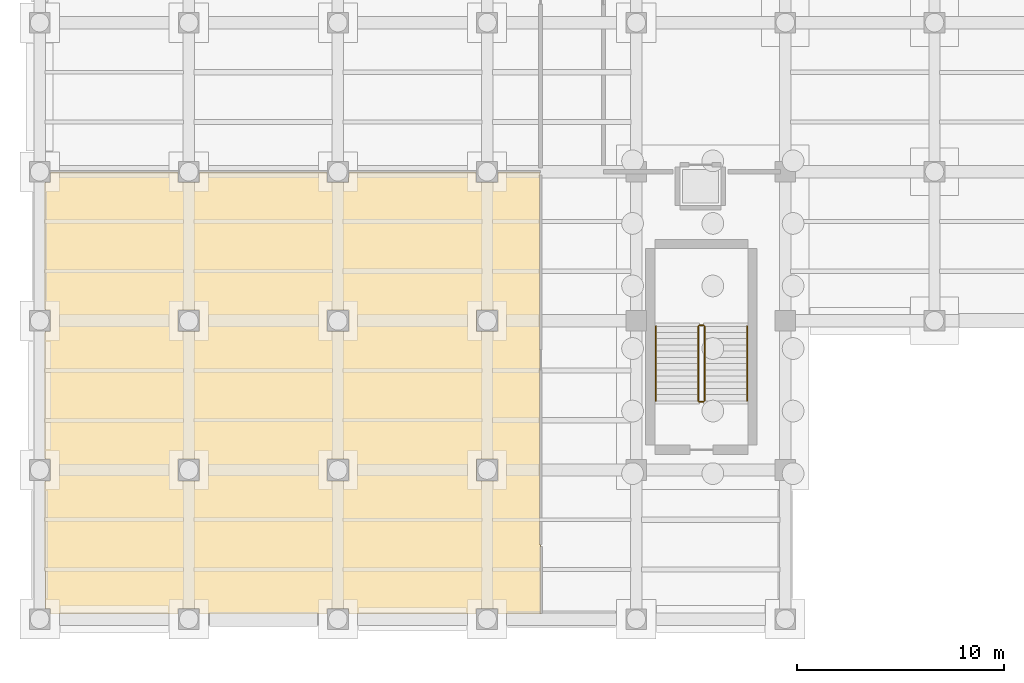
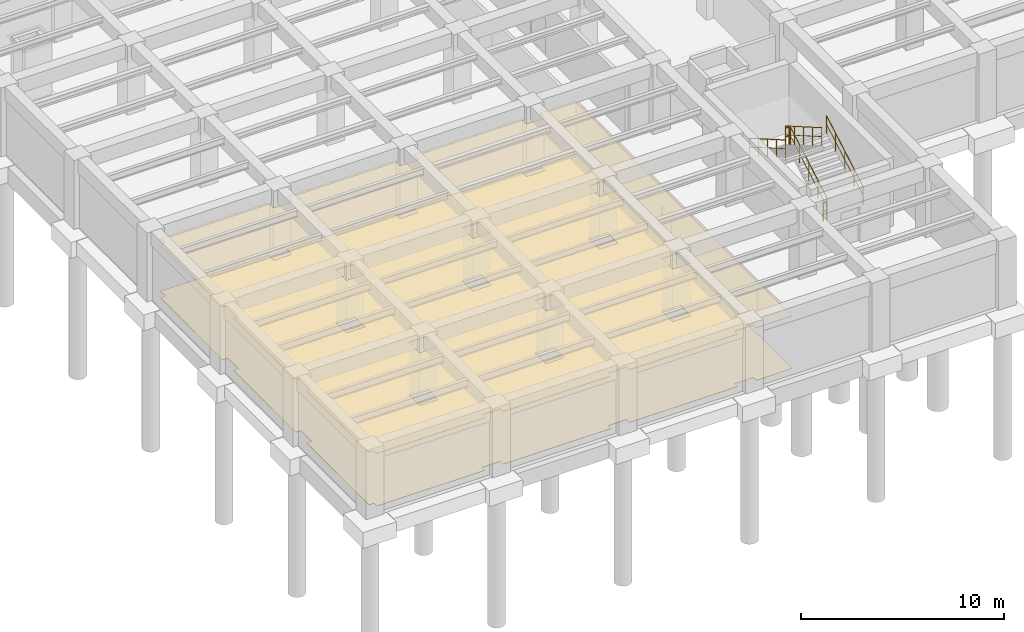
# One storey, part 24 of 34: 6 railings, 2 coverings.
"""IFC4 building model written with IfcOpenShell, lengths in metres."""

from ifc_helpers import new_model, si_unit, direction, frame, origin, origin_2d, place, context, subcontext, project, spatial, polyline, circle, outline, extrude, material, layer, layer_set, type_object, element, save


model = new_model("IFC4")

# Units and contexts
model_context = context("Model", 3, precision=1e-05, world=origin(), true_north=direction((0.0, 1.0)))
body_context = subcontext(model_context, "Body", "Model", "MODEL_VIEW")
ifc_project = project(units=[si_unit("LENGTHUNIT", "METRE"), si_unit("AREAUNIT", "SQUARE_METRE"), si_unit("VOLUMEUNIT", "CUBIC_METRE"), si_unit("PLANEANGLEUNIT", "RADIAN"), si_unit("MASSUNIT", "GRAM", prefix="KILO")], contexts=[model_context])

# Site, building, storey
site_placement = place(None, origin())
site = spatial("IfcSite", under=ifc_project, at=site_placement, CompositionType="ELEMENT")
building_placement = place(site_placement, origin())
building = spatial("IfcBuilding", under=site, at=building_placement, Name="Solenvale Faculty of Natural Sciences", CompositionType="ELEMENT")
storey_placement = place(building_placement, frame((0.0, 0.0, -4.5)))
storey = spatial("IfcBuildingStorey", under=building, at=storey_placement, Name="B01", CompositionType="ELEMENT", Elevation=-4.5)

# Coverings
ifc_material_1 = material(Name="Oak slatted acoustic timber ceiling", Category="wood")
ifc_layer_1 = layer(ifc_material_1, 0.034912109375)
ifc_layer_set_1 = layer_set([ifc_layer_1], Name="Oak slatted acoustic timber ceiling")
covering_type_1 = type_object("IfcCoveringType", Name="COV-CEIL-WD35", PredefinedType="CEILING", material=ifc_layer_set_1)
covering_1_placement = place(storey_placement, frame((0.0, 0.0, 3.155029296875)))
element("IfcCovering", 1, at=covering_1_placement, inside=storey, type_object=covering_type_1, Name="B01 Lecture Hall Lower Preparation Room Acoustic Ceiling", PredefinedType="CEILING", context=body_context, shape_type="SweptSolid", body=[
    extrude(outline(polyline([(6.64501953125, 21.580078125), (6.675048828125, 21.552978515625), (6.675048828125, 21.0859375), (6.68603515625, 21.074951171875), (7.718994140625, 21.075927734375), (7.72509765625, 21.552978515625), (7.7548828125, 21.580078125), (13.847900390625, 21.580078125), (13.875, 21.552978515625), (13.875, 21.0859375), (13.885986328125, 21.074951171875), (14.9189453125, 21.075927734375), (14.925048828125, 21.552978515625), (14.955078125, 21.580078125), (21.048095703125, 21.580078125), (21.074951171875, 21.552978515625), (21.074951171875, 21.0859375), (21.0859375, 21.074951171875), (22.1201171875, 21.075927734375), (22.125, 21.552978515625), (22.14892578125, 21.5791015625), (24.1298828125, 21.580078125), (24.153076171875, 21.569091796875), (24.159912109375, 3.60009765625), (24.179931640625, 3.551025390625), (24.179931640625, 0.27001953125), (24.1689453125, 0.2470703125), (22.152099609375, 0.239990234375), (22.125, 0.26708984375), (22.117919921875, 0.52490234375), (21.0859375, 0.52490234375), (21.074951171875, 0.513916015625), (21.074951171875, 0.26708984375), (21.044921875, 0.239990234375), (14.955078125, 0.239990234375), (14.925048828125, 0.26708984375), (14.91796875, 0.52490234375), (13.885986328125, 0.52490234375), (13.875, 0.513916015625), (13.875, 0.26708984375), (13.844970703125, 0.239990234375), (7.7548828125, 0.239990234375), (7.72509765625, 0.26708984375), (7.718017578125, 0.52490234375), (6.68603515625, 0.52490234375), (6.675048828125, 0.513916015625), (6.675048828125, 0.26708984375), (6.64501953125, 0.239990234375), (0.554931640625, 0.239990234375), (0.52490234375, 0.26708984375), (0.52197265625, 0.52197265625), (0.26708984375, 0.52490234375), (0.2470703125, 0.535888671875), (0.239990234375, 6.64501953125), (0.26708984375, 6.675048828125), (0.52490234375, 6.681884765625), (0.52490234375, 7.714111328125), (0.513916015625, 7.72509765625), (0.26708984375, 7.72509765625), (0.239990234375, 7.7548828125), (0.239990234375, 13.844970703125), (0.26708984375, 13.875), (0.52490234375, 13.882080078125), (0.52490234375, 14.9140625), (0.513916015625, 14.925048828125), (0.26708984375, 14.925048828125), (0.239990234375, 14.955078125), (0.240966796875, 21.053955078125), (0.26708984375, 21.074951171875), (0.52392578125, 21.080078125), (0.52490234375, 21.552978515625), (0.552001953125, 21.580078125), (6.64501953125, 21.580078125)]), holes=[polyline([(22.125, 7.714111328125), (22.114013671875, 7.72509765625), (21.077880859375, 7.721923828125), (21.077880859375, 6.677978515625), (22.1220703125, 6.677978515625), (22.125, 7.714111328125)]), polyline([(22.125, 14.9140625), (22.114013671875, 14.925048828125), (21.077880859375, 14.922119140625), (21.077880859375, 13.8779296875), (22.1220703125, 13.8779296875), (22.125, 14.9140625)]), polyline([(14.925048828125, 7.714111328125), (14.9140625, 7.72509765625), (13.8779296875, 7.721923828125), (13.8779296875, 6.677978515625), (14.922119140625, 6.677978515625), (14.925048828125, 7.714111328125)]), polyline([(14.925048828125, 14.9140625), (14.9140625, 14.925048828125), (13.8779296875, 14.922119140625), (13.8779296875, 13.8779296875), (14.922119140625, 13.8779296875), (14.925048828125, 14.9140625)]), polyline([(6.68603515625, 14.925048828125), (6.675048828125, 14.9140625), (6.677978515625, 13.8779296875), (7.721923828125, 13.8779296875), (7.721923828125, 14.922119140625), (6.68603515625, 14.925048828125)]), polyline([(7.72509765625, 7.714111328125), (7.714111328125, 7.72509765625), (6.677978515625, 7.721923828125), (6.677978515625, 6.677978515625), (7.721923828125, 6.677978515625), (7.72509765625, 7.714111328125)])]), origin(), (0.0, 0.0, 1.0), 0.034912109375),
])
ifc_material_2 = material(Name="Polished slate terrazzo flooring", Category="masonry")
ifc_layer_2 = layer(ifc_material_2, 0.01806640625)
ifc_layer_set_2 = layer_set([ifc_layer_2], Name="Polished slate terrazzo flooring")
covering_type_2 = type_object("IfcCoveringType", Name="COV-FLR-TRZ18", PredefinedType="FLOORING", material=ifc_layer_set_2)
covering_2_placement = place(storey_placement, origin())
element("IfcCovering", 2, at=covering_2_placement, inside=storey, type_object=covering_type_2, Name="B01 Lecture Hall Lower Preparation Room Floor Finish", PredefinedType="FLOORING", context=body_context, shape_type="SweptSolid", body=[
    extrude(outline(polyline([(6.64501953125, 21.580078125), (6.675048828125, 21.552978515625), (6.675048828125, 21.0859375), (6.68603515625, 21.074951171875), (7.718994140625, 21.075927734375), (7.72509765625, 21.552978515625), (7.7548828125, 21.580078125), (13.847900390625, 21.580078125), (13.875, 21.552978515625), (13.875, 21.0859375), (13.885986328125, 21.074951171875), (14.9189453125, 21.075927734375), (14.925048828125, 21.552978515625), (14.955078125, 21.580078125), (21.048095703125, 21.580078125), (21.074951171875, 21.552978515625), (21.074951171875, 21.0859375), (21.0859375, 21.074951171875), (22.1201171875, 21.075927734375), (22.125, 21.552978515625), (22.14892578125, 21.5791015625), (24.1298828125, 21.580078125), (24.153076171875, 21.569091796875), (24.159912109375, 3.60009765625), (24.179931640625, 3.551025390625), (24.179931640625, 0.27001953125), (24.1689453125, 0.2470703125), (22.152099609375, 0.239990234375), (22.125, 0.26708984375), (22.117919921875, 0.52490234375), (21.0859375, 0.52490234375), (21.074951171875, 0.513916015625), (21.074951171875, 0.26708984375), (21.044921875, 0.239990234375), (14.955078125, 0.239990234375), (14.925048828125, 0.26708984375), (14.91796875, 0.52490234375), (13.885986328125, 0.52490234375), (13.875, 0.513916015625), (13.875, 0.26708984375), (13.844970703125, 0.239990234375), (7.7548828125, 0.239990234375), (7.72509765625, 0.26708984375), (7.718017578125, 0.52490234375), (6.68603515625, 0.52490234375), (6.675048828125, 0.513916015625), (6.675048828125, 0.26708984375), (6.64501953125, 0.239990234375), (0.554931640625, 0.239990234375), (0.52490234375, 0.26708984375), (0.52197265625, 0.52197265625), (0.26708984375, 0.52490234375), (0.2470703125, 0.535888671875), (0.239990234375, 6.64501953125), (0.26708984375, 6.675048828125), (0.52490234375, 6.681884765625), (0.52490234375, 7.714111328125), (0.513916015625, 7.72509765625), (0.26708984375, 7.72509765625), (0.239990234375, 7.7548828125), (0.239990234375, 13.844970703125), (0.26708984375, 13.875), (0.52490234375, 13.882080078125), (0.52490234375, 14.9140625), (0.513916015625, 14.925048828125), (0.26708984375, 14.925048828125), (0.239990234375, 14.955078125), (0.240966796875, 21.053955078125), (0.26708984375, 21.074951171875), (0.52392578125, 21.080078125), (0.52490234375, 21.552978515625), (0.552001953125, 21.580078125), (6.64501953125, 21.580078125)]), holes=[polyline([(22.125, 7.714111328125), (22.114013671875, 7.72509765625), (21.077880859375, 7.721923828125), (21.077880859375, 6.677978515625), (22.1220703125, 6.677978515625), (22.125, 7.714111328125)]), polyline([(22.125, 14.9140625), (22.114013671875, 14.925048828125), (21.077880859375, 14.922119140625), (21.077880859375, 13.8779296875), (22.1220703125, 13.8779296875), (22.125, 14.9140625)]), polyline([(14.925048828125, 7.714111328125), (14.9140625, 7.72509765625), (13.8779296875, 7.721923828125), (13.8779296875, 6.677978515625), (14.922119140625, 6.677978515625), (14.925048828125, 7.714111328125)]), polyline([(14.925048828125, 14.9140625), (14.9140625, 14.925048828125), (13.8779296875, 14.922119140625), (13.8779296875, 13.8779296875), (14.922119140625, 13.8779296875), (14.925048828125, 14.9140625)]), polyline([(6.68603515625, 14.925048828125), (6.675048828125, 14.9140625), (6.677978515625, 13.8779296875), (7.721923828125, 13.8779296875), (7.721923828125, 14.922119140625), (6.68603515625, 14.925048828125)]), polyline([(7.72509765625, 7.714111328125), (7.714111328125, 7.72509765625), (6.677978515625, 7.721923828125), (6.677978515625, 6.677978515625), (7.721923828125, 6.677978515625), (7.72509765625, 7.714111328125)])]), origin(), (0.0, 0.0, 1.0), 0.01806640625),
])

# Railings
ifc_material_3 = material(Name="Stainless steel Grade 304", Category="steel")
railing_type_1 = type_object("IfcRailingType", Name="RL-GRD-1100", PredefinedType="GUARDRAIL", material=ifc_material_3)
railing_1_placement = place(storey_placement, frame((32.10009765625, 10.5400390625, 0.173095703125)))
element("IfcRailing", 3, at=railing_1_placement, inside=storey, type_object=railing_type_1, Name="B01 ST-01 stair guard 1", PredefinedType="GUARDRAIL", context=body_context, shape_type="SweptSolid", body=[
    extrude(circle(Radius=0.02392578125, at=origin_2d()), frame((0.0, 0.0, 1.09619140625), z_axis=(0.0, 0.866178740119, 0.499734319579), x_axis=(-1.0, 0.0, 0.0)), (0.0, 0.0, 1.0), 4.156005859375),
    extrude(circle(Radius=0.01611328125, at=origin_2d()), frame((0.0, 0.0, 0.56005859375), z_axis=(0.0, 0.866178740119, 0.499734319579), x_axis=(-1.0, 0.0, 0.0)), (0.0, 0.0, 1.0), 4.156005859375),
    extrude(circle(Radius=0.02099609375, at=origin_2d()), origin(), (0.0, 0.0, 1.0), 1.072021484375),
    extrude(circle(Radius=0.02099609375, at=origin_2d()), frame((0.0, 0.89990234375, 0.519287109375)), (0.0, 0.0, 1.0), 1.072021484375),
    extrude(circle(Radius=0.02099609375, at=origin_2d()), frame((0.0, 1.7998046875, 1.03857421875)), (0.0, 0.0, 1.0), 1.072021484375),
    extrude(circle(Radius=0.02099609375, at=origin_2d()), frame((0.0, 2.699951171875, 1.5576171875)), (0.0, 0.0, 1.0), 1.072021484375),
    extrude(circle(Radius=0.02099609375, at=origin_2d()), frame((0.0, 3.599853515625, 2.076904296875)), (0.0, 0.0, 1.0), 1.072021484375),
])
railing_2_placement = place(storey_placement, frame((32.050048828125, 14.18994140625, 2.25)))
element("IfcRailing", 4, at=railing_2_placement, inside=storey, type_object=railing_type_1, Name="B01 ST-01 stair guard 2", PredefinedType="GUARDRAIL", context=body_context, shape_type="SweptSolid", body=[
    extrude(circle(Radius=0.02392578125, at=origin_2d()), frame((0.0, 0.0, 1.09619140625), z_axis=(-1.0, 0.0, 0.0), x_axis=(0.0, -1.0, 0.0)), (0.0, 0.0, 1.0), 0.199951171875),
    extrude(circle(Radius=0.01611328125, at=origin_2d()), frame((0.0, 0.0, 0.56005859375), z_axis=(-1.0, 0.0, 0.0), x_axis=(0.0, -1.0, 0.0)), (0.0, 0.0, 1.0), 0.199951171875),
    extrude(circle(Radius=0.02099609375, at=origin_2d()), origin(), (0.0, 0.0, 1.0), 1.072021484375),
    extrude(circle(Radius=0.02099609375, at=origin_2d()), frame((-0.199951171875, 0.0, 0.0)), (0.0, 0.0, 1.0), 1.072021484375),
])
railing_3_placement = place(storey_placement, frame((31.800048828125, 14.139892578125, 2.423095703125)))
element("IfcRailing", 5, at=railing_3_placement, inside=storey, type_object=railing_type_1, Name="B01 ST-01 stair guard 3", PredefinedType="GUARDRAIL", context=body_context, shape_type="SweptSolid", body=[
    extrude(circle(Radius=0.02392578125, at=origin_2d()), frame((0.0, 0.0, 1.09619140625), z_axis=(0.0, -0.866178740119, 0.499734319579), x_axis=(1.0, 0.0, 0.0)), (0.0, 0.0, 1.0), 4.156005859375),
    extrude(circle(Radius=0.01611328125, at=origin_2d()), frame((0.0, 0.0, 0.56005859375), z_axis=(0.0, -0.866178740119, 0.499734319579), x_axis=(1.0, 0.0, 0.0)), (0.0, 0.0, 1.0), 4.156005859375),
    extrude(circle(Radius=0.02099609375, at=origin_2d()), origin(), (0.0, 0.0, 1.0), 1.072021484375),
    extrude(circle(Radius=0.02099609375, at=origin_2d()), frame((0.0, -0.89990234375, 0.519287109375)), (0.0, 0.0, 1.0), 1.072021484375),
    extrude(circle(Radius=0.02099609375, at=origin_2d()), frame((0.0, -1.7998046875, 1.03857421875)), (0.0, 0.0, 1.0), 1.072021484375),
    extrude(circle(Radius=0.02099609375, at=origin_2d()), frame((0.0, -2.699951171875, 1.5576171875)), (0.0, 0.0, 1.0), 1.072021484375),
    extrude(circle(Radius=0.02099609375, at=origin_2d()), frame((0.0, -3.599853515625, 2.076904296875)), (0.0, 0.0, 1.0), 1.072021484375),
])
railing_4_placement = place(storey_placement, frame((32.050048828125, 10.489990234375, 0.0)))
element("IfcRailing", 6, at=railing_4_placement, inside=storey, type_object=railing_type_1, Name="B01 ST-01 stair guard 4", PredefinedType="GUARDRAIL", context=body_context, shape_type="SweptSolid", body=[
    extrude(circle(Radius=0.02392578125, at=origin_2d()), frame((0.0, 0.0, 1.09619140625), z_axis=(-1.0, 0.0, 0.0), x_axis=(0.0, -1.0, 0.0)), (0.0, 0.0, 1.0), 0.199951171875),
    extrude(circle(Radius=0.01611328125, at=origin_2d()), frame((0.0, 0.0, 0.56005859375), z_axis=(-1.0, 0.0, 0.0), x_axis=(0.0, -1.0, 0.0)), (0.0, 0.0, 1.0), 0.199951171875),
    extrude(circle(Radius=0.02099609375, at=origin_2d()), origin(), (0.0, 0.0, 1.0), 1.072021484375),
    extrude(circle(Radius=0.02099609375, at=origin_2d()), frame((-0.199951171875, 0.0, 0.0)), (0.0, 0.0, 1.0), 1.072021484375),
])
railing_type_2 = type_object("IfcRailingType", Name="RL-HND-900", PredefinedType="HANDRAIL", material=ifc_material_3)
railing_5_placement = place(storey_placement, frame((34.14990234375, 10.5400390625, 0.173095703125)))
element("IfcRailing", 7, at=railing_5_placement, inside=storey, type_object=railing_type_2, Name="B01 ST-01 stair handrail 1", PredefinedType="HANDRAIL", context=body_context, shape_type="SweptSolid", body=[
    extrude(circle(Radius=0.02392578125, at=origin_2d()), frame((0.0, 0.0, 1.0732421875), z_axis=(0.0, 0.866178740119, 0.499734319579), x_axis=(-1.0, 0.0, 0.0)), (0.0, 0.0, 1.0), 4.156005859375),
    extrude(circle(Radius=0.01611328125, at=origin_2d()), frame((0.0, 0.0, 0.548583984375), z_axis=(0.0, 0.866178740119, 0.499734319579), x_axis=(-1.0, 0.0, 0.0)), (0.0, 0.0, 1.0), 4.156005859375),
    extrude(circle(Radius=0.02099609375, at=origin_2d()), origin(), (0.0, 0.0, 1.0), 1.049072265625),
    extrude(circle(Radius=0.02099609375, at=origin_2d()), frame((0.0, 0.89990234375, 0.519287109375)), (0.0, 0.0, 1.0), 1.049072265625),
    extrude(circle(Radius=0.02099609375, at=origin_2d()), frame((0.0, 1.7998046875, 1.03857421875)), (0.0, 0.0, 1.0), 1.049072265625),
    extrude(circle(Radius=0.02099609375, at=origin_2d()), frame((0.0, 2.699951171875, 1.5576171875)), (0.0, 0.0, 1.0), 1.049072265625),
    extrude(circle(Radius=0.02099609375, at=origin_2d()), frame((0.0, 3.599853515625, 2.076904296875)), (0.0, 0.0, 1.0), 1.049072265625),
])
railing_6_placement = place(storey_placement, frame((29.75, 14.139892578125, 2.423095703125)))
element("IfcRailing", 8, at=railing_6_placement, inside=storey, type_object=railing_type_2, Name="B01 ST-01 stair handrail 2", PredefinedType="HANDRAIL", context=body_context, shape_type="SweptSolid", body=[
    extrude(circle(Radius=0.02392578125, at=origin_2d()), frame((0.0, 0.0, 1.0732421875), z_axis=(0.0, -0.866178740119, 0.499734319579), x_axis=(1.0, 0.0, 0.0)), (0.0, 0.0, 1.0), 4.156005859375),
    extrude(circle(Radius=0.01611328125, at=origin_2d()), frame((0.0, 0.0, 0.548583984375), z_axis=(0.0, -0.866178740119, 0.499734319579), x_axis=(1.0, 0.0, 0.0)), (0.0, 0.0, 1.0), 4.156005859375),
    extrude(circle(Radius=0.02099609375, at=origin_2d()), origin(), (0.0, 0.0, 1.0), 1.049072265625),
    extrude(circle(Radius=0.02099609375, at=origin_2d()), frame((0.0, -0.89990234375, 0.519287109375)), (0.0, 0.0, 1.0), 1.049072265625),
    extrude(circle(Radius=0.02099609375, at=origin_2d()), frame((0.0, -1.7998046875, 1.03857421875)), (0.0, 0.0, 1.0), 1.049072265625),
    extrude(circle(Radius=0.02099609375, at=origin_2d()), frame((0.0, -2.699951171875, 1.5576171875)), (0.0, 0.0, 1.0), 1.049072265625),
    extrude(circle(Radius=0.02099609375, at=origin_2d()), frame((0.0, -3.599853515625, 2.076904296875)), (0.0, 0.0, 1.0), 1.049072265625),
])

save(model, "model.ifc")
